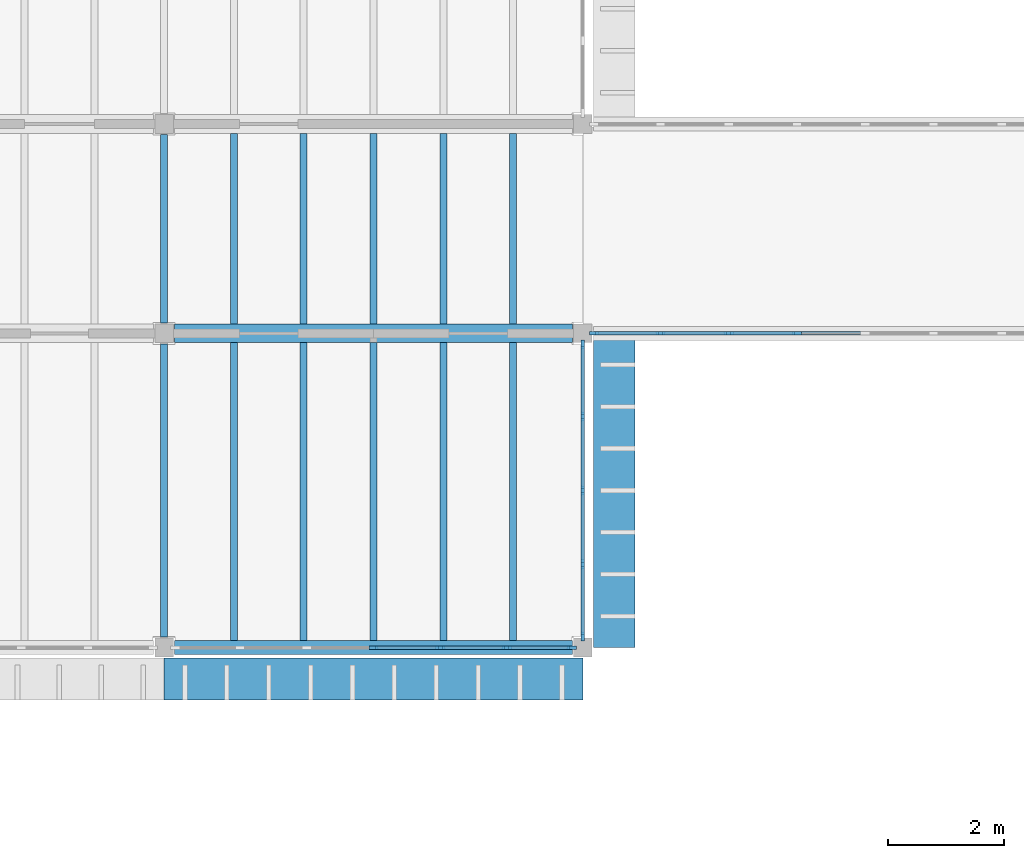
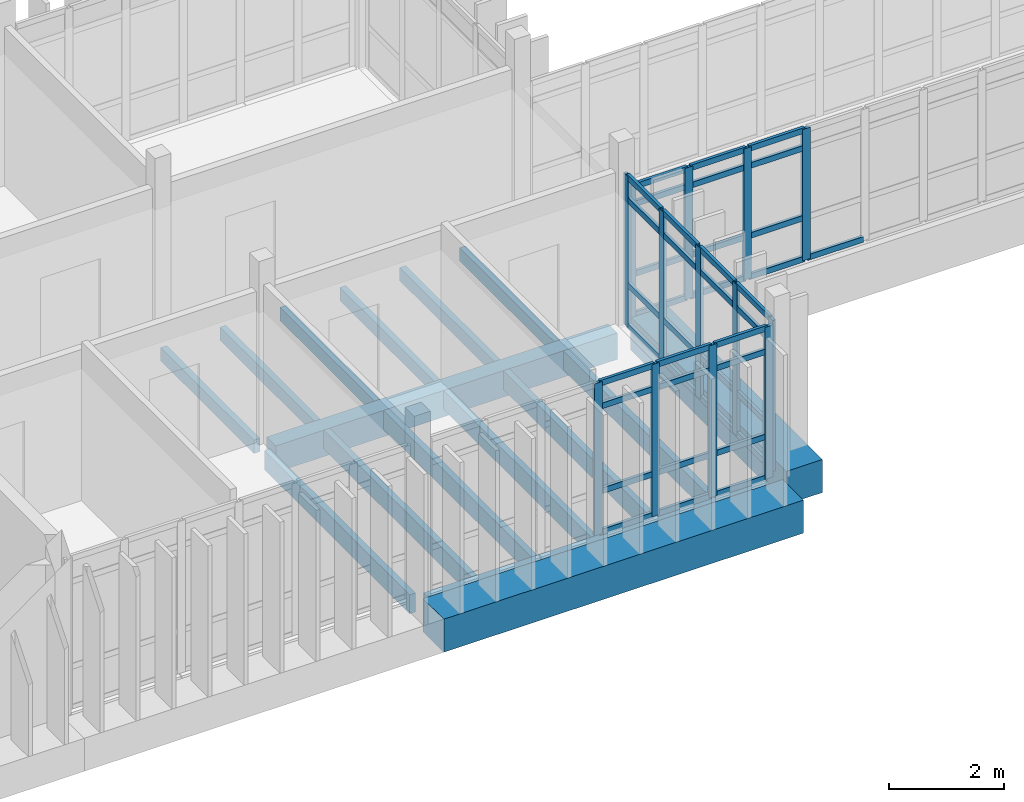
# One storey, part 11 of 71: 56 members, 14 beams, 3 elements without a shape of their own.
"""IFC4 building model written with IfcOpenShell, lengths in metres."""

from ifc_helpers import new_model, si_unit, direction, frame, origin, origin_2d, place, context, subcontext, project, spatial, rectangle, extrude, material, layer, layer_set, material_profile, profile_set, type_object, element, aggregate, save


model = new_model("IFC4")

# Units and contexts
model_context = context("Model", 3, precision=1e-05, world=origin(), true_north=direction((0.0, 1.0)))
body_context = subcontext(model_context, "Body", "Model", "MODEL_VIEW")
ifc_project = project(units=[si_unit("LENGTHUNIT", "METRE"), si_unit("AREAUNIT", "SQUARE_METRE"), si_unit("VOLUMEUNIT", "CUBIC_METRE"), si_unit("PLANEANGLEUNIT", "RADIAN"), si_unit("MASSUNIT", "GRAM", prefix="KILO")], contexts=[model_context])

# Site, building, storey
site_placement = place(None, origin())
site = spatial("IfcSite", under=ifc_project, at=site_placement, CompositionType="ELEMENT")
building_placement = place(site_placement, origin())
building = spatial("IfcBuilding", under=site, at=building_placement, Name="Mazhai Court Health Centre", CompositionType="ELEMENT")
storey_placement = place(building_placement, frame((0.0, 0.0, 10.199951171875)))
storey = spatial("IfcBuildingStorey", under=building, at=storey_placement, Name="L02", CompositionType="ELEMENT", Elevation=10.199951171875)

# Curtain wall, members
ifc_material_1 = material(Name="Teak timber frame, glazed", Category="wood")
ifc_layer = layer(ifc_material_1, 0.10009765625)
ifc_layer_set = layer_set([ifc_layer], Name="CURTAIN WALL TIMBER 1200")
curtain_wall_type = type_object("IfcCurtainWallType", Name="CURTAIN WALL TIMBER 1200", PredefinedType="NOTDEFINED", material=ifc_layer_set)
curtain_wall_1_placement = place(storey_placement, origin())
curtain_wall_1 = element("IfcCurtainWall", 1, at=curtain_wall_1_placement, inside=storey, type_object=curtain_wall_type, Name="CW-V4-L02-A2", PredefinedType="NOTDEFINED")
ifc_material_2 = material(Name="Teak timber", Category="wood")
ifc_material_profile_1 = material_profile(ifc_material_2, rectangle(XDim=0.06005859375, YDim=0.159912109375, at=origin_2d()), Name="CW MULLION 60x160")
ifc_profile_set_1 = profile_set([ifc_material_profile_1], Name="Teak timber")
member_type_1 = type_object("IfcMemberType", Name="CW MULLION 60x160", PredefinedType="MULLION", material=ifc_profile_set_1)
member_1_placement = place(storey_placement, frame((92.409912109375, 13.39990234375, 0.0), z_axis=(0.0, 0.0, 1.0), x_axis=(0.0, -1.0, 0.0)))
member_1 = element("IfcMember", 2, at=member_1_placement, type_object=member_type_1, Name="CW mullion 1", PredefinedType="MULLION", context=body_context, shape_type="SweptSolid", body=[
    extrude(rectangle(XDim=0.06005859375, YDim=0.159912109375, at=origin_2d()), origin(), (0.0, 0.0, 1.0), 3.219970703125),
])
member_2_placement = place(storey_placement, frame((91.293212890625, 13.39990234375, 0.0), z_axis=(0.0, 0.0, 1.0), x_axis=(0.0, -1.0, 0.0)))
member_2 = element("IfcMember", 3, at=member_2_placement, type_object=member_type_1, Name="CW mullion 2", PredefinedType="MULLION", context=body_context, shape_type="SweptSolid", body=[
    extrude(rectangle(XDim=0.06005859375, YDim=0.159912109375, at=origin_2d()), origin(), (0.0, 0.0, 1.0), 3.219970703125),
])
member_3_placement = place(storey_placement, frame((90.146728515625, 13.39990234375, 0.0), z_axis=(0.0, 0.0, 1.0), x_axis=(0.0, -1.0, 0.0)))
member_3 = element("IfcMember", 4, at=member_3_placement, type_object=member_type_1, Name="CW mullion 3", PredefinedType="MULLION", context=body_context, shape_type="SweptSolid", body=[
    extrude(rectangle(XDim=0.06005859375, YDim=0.159912109375, at=origin_2d()), origin(), (0.0, 0.0, 1.0), 3.219970703125),
])
member_4_placement = place(storey_placement, frame((89.0, 13.39990234375, 0.0), z_axis=(0.0, 0.0, 1.0), x_axis=(0.0, -1.0, 0.0)))
member_4 = element("IfcMember", 5, at=member_4_placement, type_object=member_type_1, Name="CW mullion 4", PredefinedType="MULLION", context=body_context, shape_type="SweptSolid", body=[
    extrude(rectangle(XDim=0.06005859375, YDim=0.159912109375, at=origin_2d()), origin(), (0.0, 0.0, 1.0), 3.219970703125),
])

curtain_wall_2_placement = place(storey_placement, origin())
curtain_wall_2 = element("IfcCurtainWall", 6, at=curtain_wall_2_placement, inside=storey, type_object=curtain_wall_type, Name="CW-V4-L02-CE2-0", PredefinedType="NOTDEFINED")
member_5_placement = place(storey_placement, frame((92.60009765625, 18.610107421875, 0.0), z_axis=(0.0, 0.0, 1.0), x_axis=(1.0, 0.0, 0.0)))
member_5 = element("IfcMember", 7, at=member_5_placement, type_object=member_type_1, Name="CW mullion 1", PredefinedType="MULLION", context=body_context, shape_type="SweptSolid", body=[
    extrude(rectangle(XDim=0.06005859375, YDim=0.159912109375, at=origin_2d()), origin(), (0.0, 0.0, 1.0), 3.199951171875),
])
member_6_placement = place(storey_placement, frame((92.60009765625, 17.3701171875, 0.0), z_axis=(0.0, 0.0, 1.0), x_axis=(1.0, 0.0, 0.0)))
member_6 = element("IfcMember", 8, at=member_6_placement, type_object=member_type_1, Name="CW mullion 2", PredefinedType="MULLION", context=body_context, shape_type="SweptSolid", body=[
    extrude(rectangle(XDim=0.06005859375, YDim=0.159912109375, at=origin_2d()), origin(), (0.0, 0.0, 1.0), 3.199951171875),
])
member_7_placement = place(storey_placement, frame((92.60009765625, 16.10009765625, 0.0), z_axis=(0.0, 0.0, 1.0), x_axis=(1.0, 0.0, 0.0)))
member_7 = element("IfcMember", 9, at=member_7_placement, type_object=member_type_1, Name="CW mullion 3", PredefinedType="MULLION", context=body_context, shape_type="SweptSolid", body=[
    extrude(rectangle(XDim=0.06005859375, YDim=0.159912109375, at=origin_2d()), origin(), (0.0, 0.0, 1.0), 3.199951171875),
])
member_8_placement = place(storey_placement, frame((92.60009765625, 14.830078125, 0.0), z_axis=(0.0, 0.0, 1.0), x_axis=(1.0, 0.0, 0.0)))
member_8 = element("IfcMember", 10, at=member_8_placement, type_object=member_type_1, Name="CW mullion 4", PredefinedType="MULLION", context=body_context, shape_type="SweptSolid", body=[
    extrude(rectangle(XDim=0.06005859375, YDim=0.159912109375, at=origin_2d()), origin(), (0.0, 0.0, 1.0), 3.199951171875),
])
member_9_placement = place(storey_placement, frame((92.60009765625, 13.590087890625, 0.0), z_axis=(0.0, 0.0, 1.0), x_axis=(1.0, 0.0, 0.0)))
member_9 = element("IfcMember", 11, at=member_9_placement, type_object=member_type_1, Name="CW mullion 5", PredefinedType="MULLION", context=body_context, shape_type="SweptSolid", body=[
    extrude(rectangle(XDim=0.06005859375, YDim=0.159912109375, at=origin_2d()), origin(), (0.0, 0.0, 1.0), 3.199951171875),
])

curtain_wall_3_placement = place(storey_placement, origin())
curtain_wall_3 = element("IfcCurtainWall", 12, at=curtain_wall_3_placement, inside=storey, type_object=curtain_wall_type, Name="CW-BR-LC2-S", PredefinedType="NOTDEFINED")
member_10_placement = place(storey_placement, frame((92.7900390625, 18.800048828125, 0.0), z_axis=(0.0, 0.0, 1.0), x_axis=(0.0, 1.0, 0.0)))
member_10 = element("IfcMember", 13, at=member_10_placement, type_object=member_type_1, Name="CW mullion 1", PredefinedType="MULLION", context=body_context, shape_type="SweptSolid", body=[
    extrude(rectangle(XDim=0.06005859375, YDim=0.159912109375, at=origin_2d()), origin(), (0.0, 0.0, 1.0), 2.780029296875),
])
member_11_placement = place(storey_placement, frame((93.933349609375, 18.800048828125, 0.0), z_axis=(0.0, 0.0, 1.0), x_axis=(0.0, 1.0, 0.0)))
member_11 = element("IfcMember", 14, at=member_11_placement, type_object=member_type_1, Name="CW mullion 2", PredefinedType="MULLION", context=body_context, shape_type="SweptSolid", body=[
    extrude(rectangle(XDim=0.06005859375, YDim=0.159912109375, at=origin_2d()), origin(), (0.0, 0.0, 1.0), 2.780029296875),
])
member_12_placement = place(storey_placement, frame((95.106689453125, 18.800048828125, 0.0), z_axis=(0.0, 0.0, 1.0), x_axis=(0.0, 1.0, 0.0)))
member_12 = element("IfcMember", 15, at=member_12_placement, type_object=member_type_1, Name="CW mullion 3", PredefinedType="MULLION", context=body_context, shape_type="SweptSolid", body=[
    extrude(rectangle(XDim=0.06005859375, YDim=0.159912109375, at=origin_2d()), origin(), (0.0, 0.0, 1.0), 2.780029296875),
])
member_13_placement = place(storey_placement, frame((96.280029296875, 18.800048828125, 0.0), z_axis=(0.0, 0.0, 1.0), x_axis=(0.0, 1.0, 0.0)))
member_13 = element("IfcMember", 16, at=member_13_placement, type_object=member_type_1, Name="CW mullion 4", PredefinedType="MULLION", context=body_context, shape_type="SweptSolid", body=[
    extrude(rectangle(XDim=0.06005859375, YDim=0.159912109375, at=origin_2d()), origin(), (0.0, 0.0, 1.0), 2.780029296875),
])

# Member
ifc_material_3 = material(Name="Teak timber", Category="wood")
ifc_material_profile_2 = material_profile(ifc_material_3, rectangle(XDim=0.06005859375, YDim=0.1201171875, at=origin_2d()), Name="CW TRANSOM 60x120")
ifc_profile_set_2 = profile_set([ifc_material_profile_2], Name="Teak timber")
member_type_2 = type_object("IfcMemberType", Name="CW TRANSOM 60x120", PredefinedType="USERDEFINED", material=ifc_profile_set_2)
member_14_placement = place(storey_placement, frame((92.3798828125, 13.39990234375, 0.030029296875), z_axis=(-1.0, 0.0, 0.0), x_axis=(0.0, -1.0, 0.0)))
member_14 = element("IfcMember", 17, at=member_14_placement, type_object=member_type_2, Name="CW transom 1.1", ObjectType="TRANSOM", PredefinedType="USERDEFINED", context=body_context, shape_type="SweptSolid", body=[
    extrude(rectangle(XDim=0.06005859375, YDim=0.1201171875, at=origin_2d()), origin(), (0.0, 0.0, 1.0), 1.056640625),
])

member_15_placement = place(storey_placement, frame((92.3798828125, 13.39990234375, 0.900146484375), z_axis=(-1.0, 0.0, 0.0), x_axis=(0.0, -1.0, 0.0)))
member_15 = element("IfcMember", 18, at=member_15_placement, type_object=member_type_2, Name="CW transom 1.2", ObjectType="TRANSOM", PredefinedType="USERDEFINED", context=body_context, shape_type="SweptSolid", body=[
    extrude(rectangle(XDim=0.06005859375, YDim=0.1201171875, at=origin_2d()), origin(), (0.0, 0.0, 1.0), 1.056640625),
])

member_16_placement = place(storey_placement, frame((92.3798828125, 13.39990234375, 2.699951171875), z_axis=(-1.0, 0.0, 0.0), x_axis=(0.0, -1.0, 0.0)))
member_16 = element("IfcMember", 19, at=member_16_placement, type_object=member_type_2, Name="CW transom 1.3", ObjectType="TRANSOM", PredefinedType="USERDEFINED", context=body_context, shape_type="SweptSolid", body=[
    extrude(rectangle(XDim=0.06005859375, YDim=0.1201171875, at=origin_2d()), origin(), (0.0, 0.0, 1.0), 1.056640625),
])

member_17_placement = place(storey_placement, frame((92.3798828125, 13.39990234375, 3.18994140625), z_axis=(-1.0, 0.0, 0.0), x_axis=(0.0, -1.0, 0.0)))
member_17 = element("IfcMember", 20, at=member_17_placement, type_object=member_type_2, Name="CW transom 1.4", ObjectType="TRANSOM", PredefinedType="USERDEFINED", context=body_context, shape_type="SweptSolid", body=[
    extrude(rectangle(XDim=0.06005859375, YDim=0.1201171875, at=origin_2d()), origin(), (0.0, 0.0, 1.0), 1.056640625),
])

member_18_placement = place(storey_placement, frame((91.263427734375, 13.39990234375, 0.030029296875), z_axis=(-1.0, 0.0, 0.0), x_axis=(0.0, -1.0, 0.0)))
member_18 = element("IfcMember", 21, at=member_18_placement, type_object=member_type_2, Name="CW transom 2.1", ObjectType="TRANSOM", PredefinedType="USERDEFINED", context=body_context, shape_type="SweptSolid", body=[
    extrude(rectangle(XDim=0.06005859375, YDim=0.1201171875, at=origin_2d()), origin(), (0.0, 0.0, 1.0), 1.086669921875),
])

member_19_placement = place(storey_placement, frame((91.263427734375, 13.39990234375, 0.900146484375), z_axis=(-1.0, 0.0, 0.0), x_axis=(0.0, -1.0, 0.0)))
member_19 = element("IfcMember", 22, at=member_19_placement, type_object=member_type_2, Name="CW transom 2.2", ObjectType="TRANSOM", PredefinedType="USERDEFINED", context=body_context, shape_type="SweptSolid", body=[
    extrude(rectangle(XDim=0.06005859375, YDim=0.1201171875, at=origin_2d()), origin(), (0.0, 0.0, 1.0), 1.086669921875),
])

member_20_placement = place(storey_placement, frame((91.263427734375, 13.39990234375, 2.699951171875), z_axis=(-1.0, 0.0, 0.0), x_axis=(0.0, -1.0, 0.0)))
member_20 = element("IfcMember", 23, at=member_20_placement, type_object=member_type_2, Name="CW transom 2.3", ObjectType="TRANSOM", PredefinedType="USERDEFINED", context=body_context, shape_type="SweptSolid", body=[
    extrude(rectangle(XDim=0.06005859375, YDim=0.1201171875, at=origin_2d()), origin(), (0.0, 0.0, 1.0), 1.086669921875),
])

member_21_placement = place(storey_placement, frame((91.263427734375, 13.39990234375, 3.18994140625), z_axis=(-1.0, 0.0, 0.0), x_axis=(0.0, -1.0, 0.0)))
member_21 = element("IfcMember", 24, at=member_21_placement, type_object=member_type_2, Name="CW transom 2.4", ObjectType="TRANSOM", PredefinedType="USERDEFINED", context=body_context, shape_type="SweptSolid", body=[
    extrude(rectangle(XDim=0.06005859375, YDim=0.1201171875, at=origin_2d()), origin(), (0.0, 0.0, 1.0), 1.086669921875),
])

member_22_placement = place(storey_placement, frame((90.11669921875, 13.39990234375, 0.030029296875), z_axis=(-1.0, 0.0, 0.0), x_axis=(0.0, -1.0, 0.0)))
member_22 = element("IfcMember", 25, at=member_22_placement, type_object=member_type_2, Name="CW transom 3.1", ObjectType="TRANSOM", PredefinedType="USERDEFINED", context=body_context, shape_type="SweptSolid", body=[
    extrude(rectangle(XDim=0.06005859375, YDim=0.1201171875, at=origin_2d()), origin(), (0.0, 0.0, 1.0), 1.086669921875),
])

member_23_placement = place(storey_placement, frame((90.11669921875, 13.39990234375, 0.900146484375), z_axis=(-1.0, 0.0, 0.0), x_axis=(0.0, -1.0, 0.0)))
member_23 = element("IfcMember", 26, at=member_23_placement, type_object=member_type_2, Name="CW transom 3.2", ObjectType="TRANSOM", PredefinedType="USERDEFINED", context=body_context, shape_type="SweptSolid", body=[
    extrude(rectangle(XDim=0.06005859375, YDim=0.1201171875, at=origin_2d()), origin(), (0.0, 0.0, 1.0), 1.086669921875),
])

member_24_placement = place(storey_placement, frame((90.11669921875, 13.39990234375, 2.699951171875), z_axis=(-1.0, 0.0, 0.0), x_axis=(0.0, -1.0, 0.0)))
member_24 = element("IfcMember", 27, at=member_24_placement, type_object=member_type_2, Name="CW transom 3.3", ObjectType="TRANSOM", PredefinedType="USERDEFINED", context=body_context, shape_type="SweptSolid", body=[
    extrude(rectangle(XDim=0.06005859375, YDim=0.1201171875, at=origin_2d()), origin(), (0.0, 0.0, 1.0), 1.086669921875),
])

member_25_placement = place(storey_placement, frame((90.11669921875, 13.39990234375, 3.18994140625), z_axis=(-1.0, 0.0, 0.0), x_axis=(0.0, -1.0, 0.0)))
member_25 = element("IfcMember", 28, at=member_25_placement, type_object=member_type_2, Name="CW transom 3.4", ObjectType="TRANSOM", PredefinedType="USERDEFINED", context=body_context, shape_type="SweptSolid", body=[
    extrude(rectangle(XDim=0.06005859375, YDim=0.1201171875, at=origin_2d()), origin(), (0.0, 0.0, 1.0), 1.086669921875),
])

aggregate(curtain_wall_1, [member_1, member_2, member_3, member_4, member_14, member_15, member_16, member_17, member_18, member_19, member_20, member_21, member_22, member_23, member_24, member_25])

member_26_placement = place(storey_placement, frame((92.60009765625, 18.580078125, 0.030029296875), z_axis=(0.0, -1.0, 0.0), x_axis=(1.0, 0.0, 0.0)))
member_26 = element("IfcMember", 29, at=member_26_placement, type_object=member_type_2, Name="CW transom 1.1", ObjectType="TRANSOM", PredefinedType="USERDEFINED", context=body_context, shape_type="SweptSolid", body=[
    extrude(rectangle(XDim=0.06005859375, YDim=0.1201171875, at=origin_2d()), origin(), (0.0, 0.0, 1.0), 1.18017578125),
])

member_27_placement = place(storey_placement, frame((92.60009765625, 18.580078125, 0.900146484375), z_axis=(0.0, -1.0, 0.0), x_axis=(1.0, 0.0, 0.0)))
member_27 = element("IfcMember", 30, at=member_27_placement, type_object=member_type_2, Name="CW transom 1.2", ObjectType="TRANSOM", PredefinedType="USERDEFINED", context=body_context, shape_type="SweptSolid", body=[
    extrude(rectangle(XDim=0.06005859375, YDim=0.1201171875, at=origin_2d()), origin(), (0.0, 0.0, 1.0), 1.18017578125),
])

member_28_placement = place(storey_placement, frame((92.60009765625, 18.580078125, 2.699951171875), z_axis=(0.0, -1.0, 0.0), x_axis=(1.0, 0.0, 0.0)))
member_28 = element("IfcMember", 31, at=member_28_placement, type_object=member_type_2, Name="CW transom 1.3", ObjectType="TRANSOM", PredefinedType="USERDEFINED", context=body_context, shape_type="SweptSolid", body=[
    extrude(rectangle(XDim=0.06005859375, YDim=0.1201171875, at=origin_2d()), origin(), (0.0, 0.0, 1.0), 1.18017578125),
])

member_29_placement = place(storey_placement, frame((92.60009765625, 18.580078125, 3.170166015625), z_axis=(0.0, -1.0, 0.0), x_axis=(1.0, 0.0, 0.0)))
member_29 = element("IfcMember", 32, at=member_29_placement, type_object=member_type_2, Name="CW transom 1.4", ObjectType="TRANSOM", PredefinedType="USERDEFINED", context=body_context, shape_type="SweptSolid", body=[
    extrude(rectangle(XDim=0.06005859375, YDim=0.1201171875, at=origin_2d()), origin(), (0.0, 0.0, 1.0), 1.18017578125),
])

member_30_placement = place(storey_placement, frame((92.60009765625, 17.340087890625, 0.030029296875), z_axis=(0.0, -1.0, 0.0), x_axis=(1.0, 0.0, 0.0)))
member_30 = element("IfcMember", 33, at=member_30_placement, type_object=member_type_2, Name="CW transom 2.1", ObjectType="TRANSOM", PredefinedType="USERDEFINED", context=body_context, shape_type="SweptSolid", body=[
    extrude(rectangle(XDim=0.06005859375, YDim=0.1201171875, at=origin_2d()), origin(), (0.0, 0.0, 1.0), 1.210205078125),
])

member_31_placement = place(storey_placement, frame((92.60009765625, 17.340087890625, 0.900146484375), z_axis=(0.0, -1.0, 0.0), x_axis=(1.0, 0.0, 0.0)))
member_31 = element("IfcMember", 34, at=member_31_placement, type_object=member_type_2, Name="CW transom 2.2", ObjectType="TRANSOM", PredefinedType="USERDEFINED", context=body_context, shape_type="SweptSolid", body=[
    extrude(rectangle(XDim=0.06005859375, YDim=0.1201171875, at=origin_2d()), origin(), (0.0, 0.0, 1.0), 1.210205078125),
])

member_32_placement = place(storey_placement, frame((92.60009765625, 17.340087890625, 2.699951171875), z_axis=(0.0, -1.0, 0.0), x_axis=(1.0, 0.0, 0.0)))
member_32 = element("IfcMember", 35, at=member_32_placement, type_object=member_type_2, Name="CW transom 2.3", ObjectType="TRANSOM", PredefinedType="USERDEFINED", context=body_context, shape_type="SweptSolid", body=[
    extrude(rectangle(XDim=0.06005859375, YDim=0.1201171875, at=origin_2d()), origin(), (0.0, 0.0, 1.0), 1.210205078125),
])

member_33_placement = place(storey_placement, frame((92.60009765625, 17.340087890625, 3.170166015625), z_axis=(0.0, -1.0, 0.0), x_axis=(1.0, 0.0, 0.0)))
member_33 = element("IfcMember", 36, at=member_33_placement, type_object=member_type_2, Name="CW transom 2.4", ObjectType="TRANSOM", PredefinedType="USERDEFINED", context=body_context, shape_type="SweptSolid", body=[
    extrude(rectangle(XDim=0.06005859375, YDim=0.1201171875, at=origin_2d()), origin(), (0.0, 0.0, 1.0), 1.210205078125),
])

member_34_placement = place(storey_placement, frame((92.60009765625, 16.070068359375, 0.030029296875), z_axis=(0.0, -1.0, 0.0), x_axis=(1.0, 0.0, 0.0)))
member_34 = element("IfcMember", 37, at=member_34_placement, type_object=member_type_2, Name="CW transom 3.1", ObjectType="TRANSOM", PredefinedType="USERDEFINED", context=body_context, shape_type="SweptSolid", body=[
    extrude(rectangle(XDim=0.06005859375, YDim=0.1201171875, at=origin_2d()), origin(), (0.0, 0.0, 1.0), 1.2099609375),
])

member_35_placement = place(storey_placement, frame((92.60009765625, 16.070068359375, 0.900146484375), z_axis=(0.0, -1.0, 0.0), x_axis=(1.0, 0.0, 0.0)))
member_35 = element("IfcMember", 38, at=member_35_placement, type_object=member_type_2, Name="CW transom 3.2", ObjectType="TRANSOM", PredefinedType="USERDEFINED", context=body_context, shape_type="SweptSolid", body=[
    extrude(rectangle(XDim=0.06005859375, YDim=0.1201171875, at=origin_2d()), origin(), (0.0, 0.0, 1.0), 1.2099609375),
])

member_36_placement = place(storey_placement, frame((92.60009765625, 16.070068359375, 2.699951171875), z_axis=(0.0, -1.0, 0.0), x_axis=(1.0, 0.0, 0.0)))
member_36 = element("IfcMember", 39, at=member_36_placement, type_object=member_type_2, Name="CW transom 3.3", ObjectType="TRANSOM", PredefinedType="USERDEFINED", context=body_context, shape_type="SweptSolid", body=[
    extrude(rectangle(XDim=0.06005859375, YDim=0.1201171875, at=origin_2d()), origin(), (0.0, 0.0, 1.0), 1.2099609375),
])

member_37_placement = place(storey_placement, frame((92.60009765625, 16.070068359375, 3.170166015625), z_axis=(0.0, -1.0, 0.0), x_axis=(1.0, 0.0, 0.0)))
member_37 = element("IfcMember", 40, at=member_37_placement, type_object=member_type_2, Name="CW transom 3.4", ObjectType="TRANSOM", PredefinedType="USERDEFINED", context=body_context, shape_type="SweptSolid", body=[
    extrude(rectangle(XDim=0.06005859375, YDim=0.1201171875, at=origin_2d()), origin(), (0.0, 0.0, 1.0), 1.2099609375),
])

member_38_placement = place(storey_placement, frame((92.60009765625, 14.800048828125, 0.030029296875), z_axis=(0.0, -1.0, 0.0), x_axis=(1.0, 0.0, 0.0)))
member_38 = element("IfcMember", 41, at=member_38_placement, type_object=member_type_2, Name="CW transom 4.1", ObjectType="TRANSOM", PredefinedType="USERDEFINED", context=body_context, shape_type="SweptSolid", body=[
    extrude(rectangle(XDim=0.06005859375, YDim=0.1201171875, at=origin_2d()), origin(), (0.0, 0.0, 1.0), 1.179931640625),
])

member_39_placement = place(storey_placement, frame((92.60009765625, 14.800048828125, 0.900146484375), z_axis=(0.0, -1.0, 0.0), x_axis=(1.0, 0.0, 0.0)))
member_39 = element("IfcMember", 42, at=member_39_placement, type_object=member_type_2, Name="CW transom 4.2", ObjectType="TRANSOM", PredefinedType="USERDEFINED", context=body_context, shape_type="SweptSolid", body=[
    extrude(rectangle(XDim=0.06005859375, YDim=0.1201171875, at=origin_2d()), origin(), (0.0, 0.0, 1.0), 1.179931640625),
])

member_40_placement = place(storey_placement, frame((92.60009765625, 14.800048828125, 2.699951171875), z_axis=(0.0, -1.0, 0.0), x_axis=(1.0, 0.0, 0.0)))
member_40 = element("IfcMember", 43, at=member_40_placement, type_object=member_type_2, Name="CW transom 4.3", ObjectType="TRANSOM", PredefinedType="USERDEFINED", context=body_context, shape_type="SweptSolid", body=[
    extrude(rectangle(XDim=0.06005859375, YDim=0.1201171875, at=origin_2d()), origin(), (0.0, 0.0, 1.0), 1.179931640625),
])

member_41_placement = place(storey_placement, frame((92.60009765625, 14.800048828125, 3.170166015625), z_axis=(0.0, -1.0, 0.0), x_axis=(1.0, 0.0, 0.0)))
member_41 = element("IfcMember", 44, at=member_41_placement, type_object=member_type_2, Name="CW transom 4.4", ObjectType="TRANSOM", PredefinedType="USERDEFINED", context=body_context, shape_type="SweptSolid", body=[
    extrude(rectangle(XDim=0.06005859375, YDim=0.1201171875, at=origin_2d()), origin(), (0.0, 0.0, 1.0), 1.179931640625),
])

aggregate(curtain_wall_2, [member_5, member_6, member_7, member_8, member_9, member_26, member_27, member_28, member_29, member_30, member_31, member_32, member_33, member_34, member_35, member_36, member_37, member_38, member_39, member_40, member_41])

member_42_placement = place(storey_placement, frame((92.820068359375, 18.800048828125, 0.030029296875), z_axis=(1.0, 0.0, 0.0), x_axis=(0.0, 1.0, 0.0)))
member_42 = element("IfcMember", 45, at=member_42_placement, type_object=member_type_2, Name="CW transom 1.1", ObjectType="TRANSOM", PredefinedType="USERDEFINED", context=body_context, shape_type="SweptSolid", body=[
    extrude(rectangle(XDim=0.06005859375, YDim=0.1201171875, at=origin_2d()), origin(), (0.0, 0.0, 1.0), 1.083251953125),
])

member_43_placement = place(storey_placement, frame((92.820068359375, 18.800048828125, 0.900146484375), z_axis=(1.0, 0.0, 0.0), x_axis=(0.0, 1.0, 0.0)))
member_43 = element("IfcMember", 46, at=member_43_placement, type_object=member_type_2, Name="CW transom 1.2", ObjectType="TRANSOM", PredefinedType="USERDEFINED", context=body_context, shape_type="SweptSolid", body=[
    extrude(rectangle(XDim=0.06005859375, YDim=0.1201171875, at=origin_2d()), origin(), (0.0, 0.0, 1.0), 1.083251953125),
])

member_44_placement = place(storey_placement, frame((92.820068359375, 18.800048828125, 2.380126953125), z_axis=(1.0, 0.0, 0.0), x_axis=(0.0, 1.0, 0.0)))
member_44 = element("IfcMember", 47, at=member_44_placement, type_object=member_type_2, Name="CW transom 1.3", ObjectType="TRANSOM", PredefinedType="USERDEFINED", context=body_context, shape_type="SweptSolid", body=[
    extrude(rectangle(XDim=0.06005859375, YDim=0.1201171875, at=origin_2d()), origin(), (0.0, 0.0, 1.0), 1.083251953125),
])

member_45_placement = place(storey_placement, frame((92.820068359375, 18.800048828125, 2.75), z_axis=(1.0, 0.0, 0.0), x_axis=(0.0, 1.0, 0.0)))
member_45 = element("IfcMember", 48, at=member_45_placement, type_object=member_type_2, Name="CW transom 1.4", ObjectType="TRANSOM", PredefinedType="USERDEFINED", context=body_context, shape_type="SweptSolid", body=[
    extrude(rectangle(XDim=0.06005859375, YDim=0.1201171875, at=origin_2d()), origin(), (0.0, 0.0, 1.0), 1.083251953125),
])

member_46_placement = place(storey_placement, frame((93.96337890625, 18.800048828125, 0.030029296875), z_axis=(1.0, 0.0, 0.0), x_axis=(0.0, 1.0, 0.0)))
member_46 = element("IfcMember", 49, at=member_46_placement, type_object=member_type_2, Name="CW transom 2.1", ObjectType="TRANSOM", PredefinedType="USERDEFINED", context=body_context, shape_type="SweptSolid", body=[
    extrude(rectangle(XDim=0.06005859375, YDim=0.1201171875, at=origin_2d()), origin(), (0.0, 0.0, 1.0), 1.11328125),
])

member_47_placement = place(storey_placement, frame((93.96337890625, 18.800048828125, 0.900146484375), z_axis=(1.0, 0.0, 0.0), x_axis=(0.0, 1.0, 0.0)))
member_47 = element("IfcMember", 50, at=member_47_placement, type_object=member_type_2, Name="CW transom 2.2", ObjectType="TRANSOM", PredefinedType="USERDEFINED", context=body_context, shape_type="SweptSolid", body=[
    extrude(rectangle(XDim=0.06005859375, YDim=0.1201171875, at=origin_2d()), origin(), (0.0, 0.0, 1.0), 1.11328125),
])

member_48_placement = place(storey_placement, frame((93.96337890625, 18.800048828125, 2.380126953125), z_axis=(1.0, 0.0, 0.0), x_axis=(0.0, 1.0, 0.0)))
member_48 = element("IfcMember", 51, at=member_48_placement, type_object=member_type_2, Name="CW transom 2.3", ObjectType="TRANSOM", PredefinedType="USERDEFINED", context=body_context, shape_type="SweptSolid", body=[
    extrude(rectangle(XDim=0.06005859375, YDim=0.1201171875, at=origin_2d()), origin(), (0.0, 0.0, 1.0), 1.11328125),
])

member_49_placement = place(storey_placement, frame((93.96337890625, 18.800048828125, 2.75), z_axis=(1.0, 0.0, 0.0), x_axis=(0.0, 1.0, 0.0)))
member_49 = element("IfcMember", 52, at=member_49_placement, type_object=member_type_2, Name="CW transom 2.4", ObjectType="TRANSOM", PredefinedType="USERDEFINED", context=body_context, shape_type="SweptSolid", body=[
    extrude(rectangle(XDim=0.06005859375, YDim=0.1201171875, at=origin_2d()), origin(), (0.0, 0.0, 1.0), 1.11328125),
])

member_50_placement = place(storey_placement, frame((95.13671875, 18.800048828125, 0.030029296875), z_axis=(1.0, 0.0, 0.0), x_axis=(0.0, 1.0, 0.0)))
member_50 = element("IfcMember", 53, at=member_50_placement, type_object=member_type_2, Name="CW transom 3.1", ObjectType="TRANSOM", PredefinedType="USERDEFINED", context=body_context, shape_type="SweptSolid", body=[
    extrude(rectangle(XDim=0.06005859375, YDim=0.1201171875, at=origin_2d()), origin(), (0.0, 0.0, 1.0), 1.11328125),
])

member_51_placement = place(storey_placement, frame((95.13671875, 18.800048828125, 0.900146484375), z_axis=(1.0, 0.0, 0.0), x_axis=(0.0, 1.0, 0.0)))
member_51 = element("IfcMember", 54, at=member_51_placement, type_object=member_type_2, Name="CW transom 3.2", ObjectType="TRANSOM", PredefinedType="USERDEFINED", context=body_context, shape_type="SweptSolid", body=[
    extrude(rectangle(XDim=0.06005859375, YDim=0.1201171875, at=origin_2d()), origin(), (0.0, 0.0, 1.0), 1.11328125),
])

member_52_placement = place(storey_placement, frame((95.13671875, 18.800048828125, 2.380126953125), z_axis=(1.0, 0.0, 0.0), x_axis=(0.0, 1.0, 0.0)))
member_52 = element("IfcMember", 55, at=member_52_placement, type_object=member_type_2, Name="CW transom 3.3", ObjectType="TRANSOM", PredefinedType="USERDEFINED", context=body_context, shape_type="SweptSolid", body=[
    extrude(rectangle(XDim=0.06005859375, YDim=0.1201171875, at=origin_2d()), origin(), (0.0, 0.0, 1.0), 1.11328125),
])

member_53_placement = place(storey_placement, frame((95.13671875, 18.800048828125, 2.75), z_axis=(1.0, 0.0, 0.0), x_axis=(0.0, 1.0, 0.0)))
member_53 = element("IfcMember", 56, at=member_53_placement, type_object=member_type_2, Name="CW transom 3.4", ObjectType="TRANSOM", PredefinedType="USERDEFINED", context=body_context, shape_type="SweptSolid", body=[
    extrude(rectangle(XDim=0.06005859375, YDim=0.1201171875, at=origin_2d()), origin(), (0.0, 0.0, 1.0), 1.11328125),
])

member_54_placement = place(storey_placement, frame((96.31005859375, 18.800048828125, 0.030029296875), z_axis=(1.0, 0.0, 0.0), x_axis=(0.0, 1.0, 0.0)))
member_54 = element("IfcMember", 57, at=member_54_placement, type_object=member_type_2, Name="CW transom 4.1", ObjectType="TRANSOM", PredefinedType="USERDEFINED", context=body_context, shape_type="SweptSolid", body=[
    extrude(rectangle(XDim=0.06005859375, YDim=0.1201171875, at=origin_2d()), origin(), (0.0, 0.0, 1.0), 1.11328125),
])

aggregate(curtain_wall_3, [member_10, member_11, member_12, member_13, member_42, member_43, member_44, member_45, member_46, member_47, member_48, member_49, member_50, member_51, member_52, member_53, member_54])

# Members
ifc_material_4 = material(Name="Glulam GL24h", Category="wood")
ifc_material_profile_3 = material_profile(ifc_material_4, rectangle(XDim=0.719970703125, YDim=0.699951171875, at=origin_2d()), Name="FIN RAIL 720x700")
ifc_profile_set_3 = profile_set([ifc_material_profile_3], Name="Glulam GL24h")
member_type_3 = type_object("IfcMemberType", Name="FIN RAIL 720x700", PredefinedType="USERDEFINED", material=ifc_profile_set_3)
member_55_placement = place(storey_placement, frame((92.60009765625, 12.860107421875, -0.349853515625), z_axis=(-1.0, 0.0, 0.0), x_axis=(0.0, -1.0, 0.0)))
element("IfcMember", 58, at=member_55_placement, inside=storey, type_object=member_type_3, Name="FR-V4-A2-L02", ObjectType="FIN RAIL", PredefinedType="USERDEFINED", context=body_context, shape_type="SweptSolid", body=[
    extrude(rectangle(XDim=0.719970703125, YDim=0.699951171875, at=origin_2d()), origin(), (0.0, 0.0, 1.0), 7.2001953125),
])
member_56_placement = place(storey_placement, frame((93.139892578125, 18.800048828125, -0.349853515625), z_axis=(0.0, -1.0, 0.0), x_axis=(1.0, 0.0, 0.0)))
element("IfcMember", 59, at=member_56_placement, inside=storey, type_object=member_type_3, Name="FR-V4-CE2-0-L02", ObjectType="FIN RAIL", PredefinedType="USERDEFINED", context=body_context, shape_type="SweptSolid", body=[
    extrude(rectangle(XDim=0.719970703125, YDim=0.699951171875, at=origin_2d()), origin(), (0.0, 0.0, 1.0), 5.400146484375),
])

# Beams
ifc_material_5 = material(Name="Glulam GL24h", Category="wood")
ifc_material_profile_4 = material_profile(ifc_material_5, rectangle(XDim=0.1201171875, YDim=0.280029296875, at=origin_2d()), Name="GL24h 120x280")
ifc_profile_set_4 = profile_set([ifc_material_profile_4], Name="Glulam GL24h")
beam_type_1 = type_object("IfcBeamType", Name="GL24h 120x280 joist", PredefinedType="JOIST", material=ifc_profile_set_4)
beam_1_placement = place(storey_placement, frame((85.39990234375, 18.97998046875, -0.260009765625), z_axis=(0.0, 1.0, 0.0), x_axis=(-1.0, 0.0, 0.0)))
element("IfcBeam", 60, at=beam_1_placement, inside=storey, type_object=beam_type_1, Name="joist-V4-L02-2-B0", PredefinedType="JOIST", context=body_context, shape_type="SweptSolid", body=[
    extrude(rectangle(XDim=0.1201171875, YDim=0.280029296875, at=origin_2d()), origin(), (0.0, 0.0, 1.0), 3.239990234375),
])
for number, where, z_axis, x_axis, name in (
    (61, (86.60009765625, 18.9599609375, -0.260009765625), (0.0, 1.0, 0.0), (-1.0, 0.0, 0.0), "joist-V4-L02-2-B1"),
    (62, (87.800048828125, 18.9599609375, -0.260009765625), (0.0, 1.0, 0.0), (-1.0, 0.0, 0.0), "joist-V4-L02-2-B2"),
    (63, (89.0, 18.9599609375, -0.260009765625), (0.0, 1.0, 0.0), (-1.0, 0.0, 0.0), "joist-V4-L02-2-B3"),
    (64, (90.199951171875, 18.9599609375, -0.260009765625), (0.0, 1.0, 0.0), (-1.0, 0.0, 0.0), "joist-V4-L02-2-B4"),
    (65, (91.39990234375, 18.9599609375, -0.260009765625), (0.0, 1.0, 0.0), (-1.0, 0.0, 0.0), "joist-V4-L02-2-B5"),
):
    element("IfcBeam", number, at=place(storey_placement, frame(where, z_axis=z_axis, x_axis=x_axis)), inside=storey, type_object=beam_type_1, Name=name, PredefinedType="JOIST", context=body_context, shape_type="SweptSolid", body=[
        extrude(rectangle(XDim=0.1201171875, YDim=0.280029296875, at=origin_2d()), origin(), (0.0, 0.0, 1.0), 3.280029296875),
    ])
ifc_material_6 = material(Name="Glulam GL24h", Category="wood")
ifc_material_profile_5 = material_profile(ifc_material_6, rectangle(XDim=0.1201171875, YDim=0.39990234375, at=origin_2d()), Name="GL24h 120x400")
ifc_profile_set_5 = profile_set([ifc_material_profile_5], Name="Glulam GL24h")
beam_type_2 = type_object("IfcBeamType", Name="GL24h 120x400 joist", PredefinedType="JOIST", material=ifc_profile_set_5)
beam_2_placement = place(storey_placement, frame((85.39990234375, 13.580078125, -0.320068359375), z_axis=(0.0, 1.0, 0.0), x_axis=(-1.0, 0.0, 0.0)))
element("IfcBeam", 66, at=beam_2_placement, inside=storey, type_object=beam_type_2, Name="joist-V4-L02-2-A0", PredefinedType="JOIST", context=body_context, shape_type="SweptSolid", body=[
    extrude(rectangle(XDim=0.1201171875, YDim=0.39990234375, at=origin_2d()), origin(), (0.0, 0.0, 1.0), 5.0400390625),
])
for number, where, z_axis, x_axis, name in (
    (67, (86.60009765625, 13.52001953125, -0.320068359375), (0.0, 1.0, 0.0), (-1.0, 0.0, 0.0), "joist-V4-L02-2-A1"),
    (68, (87.800048828125, 13.52001953125, -0.320068359375), (0.0, 1.0, 0.0), (-1.0, 0.0, 0.0), "joist-V4-L02-2-A2"),
    (69, (89.0, 13.52001953125, -0.320068359375), (0.0, 1.0, 0.0), (-1.0, 0.0, 0.0), "joist-V4-L02-2-A3"),
    (70, (90.199951171875, 13.52001953125, -0.320068359375), (0.0, 1.0, 0.0), (-1.0, 0.0, 0.0), "joist-V4-L02-2-A4"),
    (71, (91.39990234375, 13.52001953125, -0.320068359375), (0.0, 1.0, 0.0), (-1.0, 0.0, 0.0), "joist-V4-L02-2-A5"),
):
    element("IfcBeam", number, at=place(storey_placement, frame(where, z_axis=z_axis, x_axis=x_axis)), inside=storey, type_object=beam_type_2, Name=name, PredefinedType="JOIST", context=body_context, shape_type="SweptSolid", body=[
        extrude(rectangle(XDim=0.1201171875, YDim=0.39990234375, at=origin_2d()), origin(), (0.0, 0.0, 1.0), 5.119873046875),
    ])
ifc_material_7 = material(Name="Glulam GL28h", Category="wood")
ifc_material_profile_6 = material_profile(ifc_material_7, rectangle(XDim=0.239990234375, YDim=0.56005859375, at=origin_2d()), Name="GL28h 240x560")
ifc_profile_set_6 = profile_set([ifc_material_profile_6], Name="Glulam GL28h")
beam_type_3 = type_object("IfcBeamType", Name="GL28h 240x560 beam", PredefinedType="BEAM", material=ifc_profile_set_6)
beam_3_placement = place(storey_placement, frame((85.580078125, 13.39990234375, -0.39990234375), z_axis=(1.0, 0.0, 0.0), x_axis=(0.0, 1.0, 0.0)))
element("IfcBeam", 72, at=beam_3_placement, inside=storey, type_object=beam_type_3, Name="beam-V4-L02-2-A", PredefinedType="BEAM", context=body_context, shape_type="SweptSolid", body=[
    extrude(rectangle(XDim=0.239990234375, YDim=0.56005859375, at=origin_2d()), origin(), (0.0, 0.0, 1.0), 6.83984375),
])
ifc_material_8 = material(Name="Glulam GL28h", Category="wood")
ifc_material_profile_7 = material_profile(ifc_material_8, rectangle(XDim=0.320068359375, YDim=0.56005859375, at=origin_2d()), Name="GL28h 320x560")
ifc_profile_set_7 = profile_set([ifc_material_profile_7], Name="Glulam GL28h")
beam_type_4 = type_object("IfcBeamType", Name="GL28h 320x560 beam", PredefinedType="BEAM", material=ifc_profile_set_7)
beam_4_placement = place(storey_placement, frame((85.580078125, 18.800048828125, -0.39990234375), z_axis=(1.0, 0.0, 0.0), x_axis=(0.0, 1.0, 0.0)))
element("IfcBeam", 73, at=beam_4_placement, inside=storey, type_object=beam_type_4, Name="beam-V4-L02-2-B", PredefinedType="BEAM", context=body_context, shape_type="SweptSolid", body=[
    extrude(rectangle(XDim=0.320068359375, YDim=0.56005859375, at=origin_2d()), origin(), (0.0, 0.0, 1.0), 6.83984375),
])

save(model, "model.ifc")
